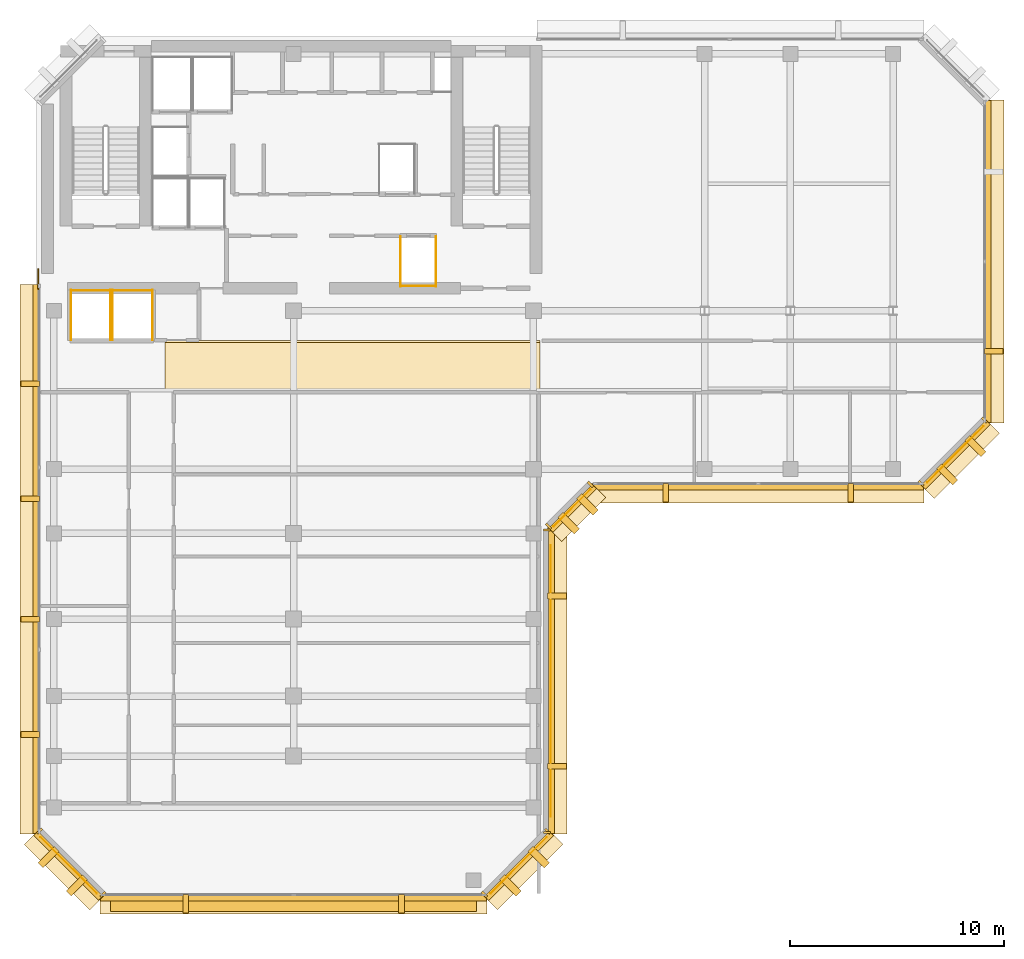
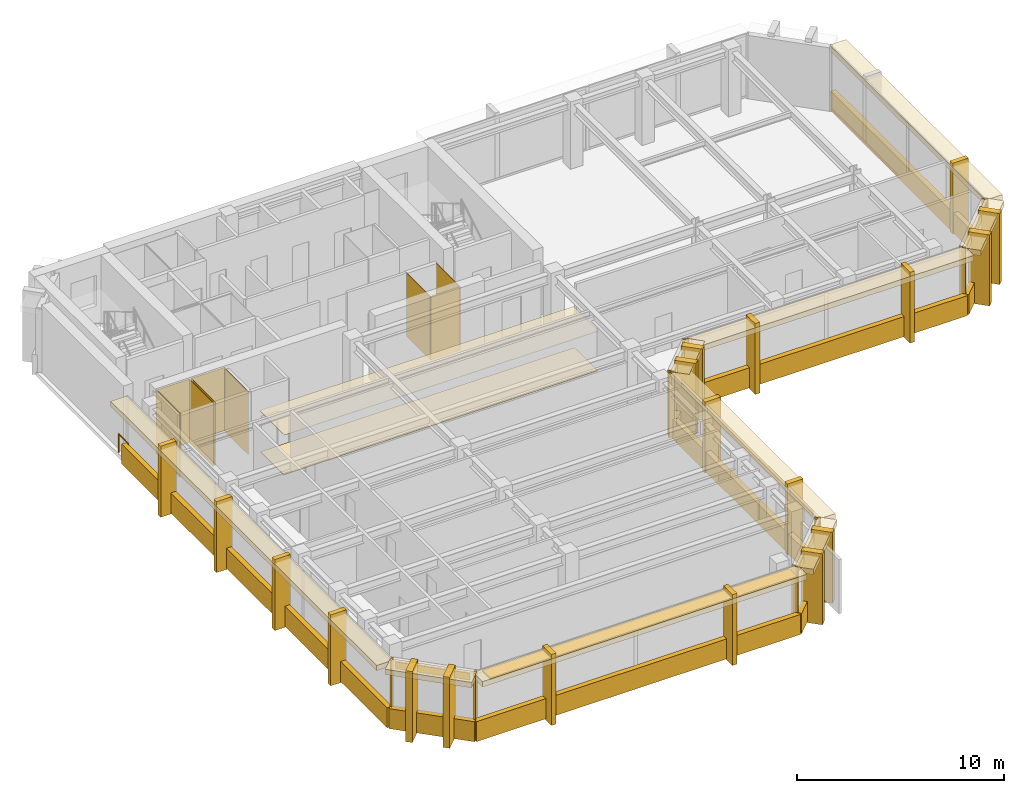
# One storey, part 9 of 11: 63 coverings, 1 railing, 1 shading device.
"""IFC4 building model written with IfcOpenShell, lengths in metres."""

from ifc_helpers import new_model, si_unit, direction, frame, origin, origin_2d, place, context, subcontext, project, spatial, polyline, rectangle, circle, outline, extrude, material, layer, layer_set, type_object, element, save


model = new_model("IFC4")

# Units and contexts
model_context = context("Model", 3, precision=1e-05, world=origin(), true_north=direction((0.0, 1.0)))
body_context = subcontext(model_context, "Body", "Model", "MODEL_VIEW")
ifc_project = project(units=[si_unit("LENGTHUNIT", "METRE"), si_unit("AREAUNIT", "SQUARE_METRE"), si_unit("VOLUMEUNIT", "CUBIC_METRE"), si_unit("PLANEANGLEUNIT", "RADIAN"), si_unit("MASSUNIT", "GRAM", prefix="KILO")], contexts=[model_context])

# Site, building, storey
site_placement = place(None, origin())
site = spatial("IfcSite", under=ifc_project, at=site_placement, CompositionType="ELEMENT")
building_placement = place(site_placement, origin())
building = spatial("IfcBuilding", under=site, at=building_placement, Name="Kefirva Bronze Tower", CompositionType="ELEMENT")
storey_placement = place(building_placement, frame((0.0, 0.0, 335.610107421875)))
storey = spatial("IfcBuildingStorey", under=building, at=storey_placement, Name="L82", CompositionType="ELEMENT", Elevation=335.610107421875)

# Coverings
ifc_material_1 = material(Name="Acoustic mineral tile")
ifc_layer_1 = layer(ifc_material_1, 0.02490234375, Name="Acoustic mineral tile")
ifc_layer_set_1 = layer_set([ifc_layer_1], Name="Acoustic mineral tile")
covering_type_1 = type_object("IfcCoveringType", Name="Acoustic Mineral Suspended Ceiling 25mm", PredefinedType="CEILING", material=ifc_layer_set_1)
covering_1_placement = place(storey_placement, frame((0.0, 0.0, 2.39990234375)))
element("IfcCovering", 1, at=covering_1_placement, inside=storey, type_object=covering_type_1, Name="L82 Corridor Acoustic Ceiling", PredefinedType="CEILING", context=body_context, shape_type="SweptSolid", body=[
    extrude(outline(polyline([(6.0, 29.39990234375), (23.5, 29.39990234375), (23.5, 31.800048828125), (6.0, 31.800048828125), (6.0, 29.39990234375)])), origin(), (0.0, 0.0, 1.0), 0.02490234375),
])
ifc_material_2 = material(Name="Bronze anodised aluminium", Category="aluminium")
ifc_layer_2 = layer(ifc_material_2, 0.02001953125, Name="Bronze anodised aluminium")
ifc_layer_set_2 = layer_set([ifc_layer_2], Name="Bronze anodised aluminium")
covering_type_2 = type_object("IfcCoveringType", Name="Anodised Bronze Spandrel Cladding 20mm", PredefinedType="CLADDING", material=ifc_layer_set_2)
covering_2_placement = place(storey_placement, frame((12.0, 5.760009765625, -0.16015625), z_axis=(0.0, 0.0, 1.0), x_axis=(1.0, 0.0, 0.0)))
element("IfcCovering", 2, at=covering_2_placement, inside=storey, type_object=covering_type_2, Name="L82 Streamline Horizontal Spandrel Band 0", PredefinedType="CLADDING", context=body_context, shape_type="SweptSolid", body=[
    extrude(rectangle(XDim=18.0400390625, YDim=0.280029296875, at=origin_2d()), origin(), (0.0, 0.0, 1.0), 1.179931640625),
])
covering_3_placement = place(storey_placement, frame((22.507080078125, 7.29296875, 3.31982421875), z_axis=(0.0, 0.0, 1.0), x_axis=(0.707106781187, 0.707106781187, 0.0)))
element("IfcCovering", 3, at=covering_3_placement, inside=storey, type_object=covering_type_2, Name="L82 Bronze Spandrel Cladding 1", PredefinedType="CLADDING", context=body_context, shape_type="SweptSolid", body=[
    extrude(rectangle(XDim=3.719482421875, YDim=0.02001953125, at=origin_2d()), origin(), (0.0, 0.0, 1.0), 0.39990234375),
])
for number, where, z_axis, x_axis, name in (
    (4, (20.91162109375, 5.93798828125, 0.0), (0.0, 0.0, 1.0), (0.707106781187, 0.707106781187, 0.0), "L82 Facade Joint Closure Panel 1S"),
    (5, (23.862060546875, 8.88818359375, 0.0), (0.0, 0.0, 1.0), (0.707106781187, 0.707106781187, 0.0), "L82 Facade Joint Closure Panel 1E"),
):
    element("IfcCovering", number, at=place(storey_placement, frame(where, z_axis=z_axis, x_axis=x_axis)), inside=storey, type_object=covering_type_2, Name=name, PredefinedType="CLADDING", context=body_context, shape_type="SweptSolid", body=[
        extrude(rectangle(XDim=0.10009765625, YDim=0.320068359375, at=origin_2d()), origin(), (0.0, 0.0, 1.0), 3.739990234375),
    ])
covering_4_placement = place(storey_placement, frame((22.5283203125, 7.271728515625, -0.16015625), z_axis=(0.0, 0.0, 1.0), x_axis=(0.707106781187, 0.707106781187, 0.0)))
element("IfcCovering", 6, at=covering_4_placement, inside=storey, type_object=covering_type_2, Name="L82 Streamline Horizontal Spandrel Band 1", PredefinedType="CLADDING", context=body_context, shape_type="SweptSolid", body=[
    extrude(rectangle(XDim=4.28271484375, YDim=0.280029296875, at=origin_2d()), origin(), (0.0, 0.0, 1.0), 1.179931640625),
])
covering_5_placement = place(storey_placement, frame((24.010009765625, 15.89990234375, 3.31982421875), z_axis=(0.0, 0.0, 1.0), x_axis=(0.0, 1.0, 0.0)))
element("IfcCovering", 7, at=covering_5_placement, inside=storey, type_object=covering_type_2, Name="L82 Bronze Spandrel Cladding 2", PredefinedType="CLADDING", context=body_context, shape_type="SweptSolid", body=[
    extrude(rectangle(XDim=12.680908203125, YDim=0.02001953125, at=origin_2d()), origin(), (0.0, 0.0, 1.0), 0.39990234375),
])
for number, where, z_axis, x_axis, name in (
    (8, (23.840087890625, 8.8349609375, 0.0), (0.0, 0.0, 1.0), (0.0, 1.0, 0.0), "L82 Facade Joint Closure Panel 2S"),
    (9, (23.840087890625, 22.965087890625, 0.0), (0.0, 0.0, 1.0), (0.0, 1.0, 0.0), "L82 Facade Joint Closure Panel 2E"),
):
    element("IfcCovering", number, at=place(storey_placement, frame(where, z_axis=z_axis, x_axis=x_axis)), inside=storey, type_object=covering_type_2, Name=name, PredefinedType="CLADDING", context=body_context, shape_type="SweptSolid", body=[
        extrude(rectangle(XDim=0.10009765625, YDim=0.320068359375, at=origin_2d()), origin(), (0.0, 0.0, 1.0), 3.739990234375),
    ])
covering_6_placement = place(storey_placement, frame((24.0400390625, 15.89990234375, -0.16015625), z_axis=(0.0, 0.0, 1.0), x_axis=(0.0, 1.0, 0.0)))
element("IfcCovering", 10, at=covering_6_placement, inside=storey, type_object=covering_type_2, Name="L82 Streamline Horizontal Spandrel Band 2", PredefinedType="CLADDING", context=body_context, shape_type="SweptSolid", body=[
    extrude(rectangle(XDim=14.239990234375, YDim=0.280029296875, at=origin_2d()), origin(), (0.0, 0.0, 1.0), 1.179931640625),
])
covering_7_placement = place(storey_placement, frame((25.007080078125, 23.992919921875, 3.31982421875), z_axis=(0.0, 0.0, 1.0), x_axis=(0.707106781187, 0.707106781187, 0.0)))
element("IfcCovering", 11, at=covering_7_placement, inside=storey, type_object=covering_type_2, Name="L82 Bronze Spandrel Cladding 3", PredefinedType="CLADDING", context=body_context, shape_type="SweptSolid", body=[
    extrude(rectangle(XDim=2.446533203125, YDim=0.02001953125, at=origin_2d()), origin(), (0.0, 0.0, 1.0), 0.39990234375),
])
for number, where, z_axis, x_axis, name in (
    (12, (23.91162109375, 23.137939453125, 0.0), (0.0, 0.0, 1.0), (0.707106781187, 0.707106781187, 0.0), "L82 Facade Joint Closure Panel 3S"),
    (13, (25.862060546875, 25.08837890625, 0.0), (0.0, 0.0, 1.0), (0.707106781187, 0.707106781187, 0.0), "L82 Facade Joint Closure Panel 3E"),
):
    element("IfcCovering", number, at=place(storey_placement, frame(where, z_axis=z_axis, x_axis=x_axis)), inside=storey, type_object=covering_type_2, Name=name, PredefinedType="CLADDING", context=body_context, shape_type="SweptSolid", body=[
        extrude(rectangle(XDim=0.10009765625, YDim=0.320068359375, at=origin_2d()), origin(), (0.0, 0.0, 1.0), 3.739990234375),
    ])
covering_8_placement = place(storey_placement, frame((25.0283203125, 23.9716796875, -0.16015625), z_axis=(0.0, 0.0, 1.0), x_axis=(0.707106781187, 0.707106781187, 0.0)))
element("IfcCovering", 14, at=covering_8_placement, inside=storey, type_object=covering_type_2, Name="L82 Streamline Horizontal Spandrel Band 3", PredefinedType="CLADDING", context=body_context, shape_type="SweptSolid", body=[
    extrude(rectangle(XDim=2.868408203125, YDim=0.280029296875, at=origin_2d()), origin(), (0.0, 0.0, 1.0), 1.179931640625),
])
covering_9_placement = place(storey_placement, frame((33.699951171875, 24.9599609375, -0.16015625), z_axis=(0.0, 0.0, 1.0), x_axis=(1.0, 0.0, 0.0)))
element("IfcCovering", 15, at=covering_9_placement, inside=storey, type_object=covering_type_2, Name="L82 Streamline Horizontal Spandrel Band 4", PredefinedType="CLADDING", context=body_context, shape_type="SweptSolid", body=[
    extrude(rectangle(XDim=15.43994140625, YDim=0.280029296875, at=origin_2d()), origin(), (0.0, 0.0, 1.0), 1.179931640625),
])
covering_10_placement = place(storey_placement, frame((42.906982421875, 26.492919921875, 3.31982421875), z_axis=(0.0, 0.0, 1.0), x_axis=(0.707106781187, 0.707106781187, 0.0)))
element("IfcCovering", 16, at=covering_10_placement, inside=storey, type_object=covering_type_2, Name="L82 Bronze Spandrel Cladding 4", PredefinedType="CLADDING", context=body_context, shape_type="SweptSolid", body=[
    extrude(rectangle(XDim=3.719482421875, YDim=0.02001953125, at=origin_2d()), origin(), (0.0, 0.0, 1.0), 0.39990234375),
])
for number, where, z_axis, x_axis, name in (
    (17, (41.311767578125, 25.137939453125, 0.0), (0.0, 0.0, 1.0), (0.707106781187, 0.707106781187, 0.0), "L82 Facade Joint Closure Panel 4S"),
    (18, (44.26220703125, 28.08837890625, 0.0), (0.0, 0.0, 1.0), (0.707106781187, 0.707106781187, 0.0), "L82 Facade Joint Closure Panel 4E"),
):
    element("IfcCovering", number, at=place(storey_placement, frame(where, z_axis=z_axis, x_axis=x_axis)), inside=storey, type_object=covering_type_2, Name=name, PredefinedType="CLADDING", context=body_context, shape_type="SweptSolid", body=[
        extrude(rectangle(XDim=0.10009765625, YDim=0.320068359375, at=origin_2d()), origin(), (0.0, 0.0, 1.0), 3.739990234375),
    ])
covering_11_placement = place(storey_placement, frame((42.92822265625, 26.4716796875, -0.16015625), z_axis=(0.0, 0.0, 1.0), x_axis=(0.707106781187, 0.707106781187, 0.0)))
element("IfcCovering", 19, at=covering_11_placement, inside=storey, type_object=covering_type_2, Name="L82 Streamline Horizontal Spandrel Band 5", PredefinedType="CLADDING", context=body_context, shape_type="SweptSolid", body=[
    extrude(rectangle(XDim=4.28271484375, YDim=0.280029296875, at=origin_2d()), origin(), (0.0, 0.0, 1.0), 1.179931640625),
])
covering_12_placement = place(storey_placement, frame((44.43994140625, 35.5, -0.16015625), z_axis=(0.0, 0.0, 1.0), x_axis=(0.0, 1.0, 0.0)))
element("IfcCovering", 20, at=covering_12_placement, inside=storey, type_object=covering_type_2, Name="L82 Streamline Horizontal Spandrel Band 6", PredefinedType="CLADDING", context=body_context, shape_type="SweptSolid", body=[
    extrude(rectangle(XDim=15.0400390625, YDim=0.280029296875, at=origin_2d()), origin(), (0.0, 0.0, 1.0), 1.179931640625),
])
covering_13_placement = place(storey_placement, frame((-0.0400390625, 21.597412109375, -0.16015625), z_axis=(0.0, 0.0, 1.0), x_axis=(0.0, -1.0, 0.0)))
element("IfcCovering", 21, at=covering_13_placement, inside=storey, type_object=covering_type_2, Name="L82 Streamline Horizontal Spandrel Band 10", PredefinedType="CLADDING", context=body_context, shape_type="SweptSolid", body=[
    extrude(rectangle(XDim=25.635009765625, YDim=0.280029296875, at=origin_2d()), origin(), (0.0, 0.0, 1.0), 1.179931640625),
])
covering_14_placement = place(storey_placement, frame((1.492919921875, 7.29296875, 3.31982421875), z_axis=(0.0, 0.0, 1.0), x_axis=(0.707106781187, -0.707106781187, 0.0)))
element("IfcCovering", 22, at=covering_14_placement, inside=storey, type_object=covering_type_2, Name="L82 Bronze Spandrel Cladding 7", PredefinedType="CLADDING", context=body_context, shape_type="SweptSolid", body=[
    extrude(rectangle(XDim=3.719482421875, YDim=0.02001953125, at=origin_2d()), origin(), (0.0, 0.0, 1.0), 0.39990234375),
])
for number, where, z_axis, x_axis, name in (
    (23, (0.137939453125, 8.88818359375, 0.0), (0.0, 0.0, 1.0), (0.707106781187, -0.707106781187, 0.0), "L82 Facade Joint Closure Panel 7S"),
    (24, (3.08837890625, 5.93798828125, 0.0), (0.0, 0.0, 1.0), (0.707106781187, -0.707106781187, 0.0), "L82 Facade Joint Closure Panel 7E"),
):
    element("IfcCovering", number, at=place(storey_placement, frame(where, z_axis=z_axis, x_axis=x_axis)), inside=storey, type_object=covering_type_2, Name=name, PredefinedType="CLADDING", context=body_context, shape_type="SweptSolid", body=[
        extrude(rectangle(XDim=0.10009765625, YDim=0.320068359375, at=origin_2d()), origin(), (0.0, 0.0, 1.0), 3.739990234375),
    ])
covering_15_placement = place(storey_placement, frame((1.4716796875, 7.271728515625, -0.16015625), z_axis=(0.0, 0.0, 1.0), x_axis=(0.707106781187, -0.707106781187, 0.0)))
element("IfcCovering", 25, at=covering_15_placement, inside=storey, type_object=covering_type_2, Name="L82 Streamline Horizontal Spandrel Band 11", PredefinedType="CLADDING", context=body_context, shape_type="SweptSolid", body=[
    extrude(rectangle(XDim=4.28271484375, YDim=0.280029296875, at=origin_2d()), origin(), (0.0, 0.0, 1.0), 1.179931640625),
])
covering_16_placement = place(storey_placement, origin())
element("IfcCovering", 26, at=covering_16_placement, inside=storey, type_object=covering_type_2, Name="L82 Lift OB1 Hoistway Liner N", PredefinedType="CLADDING", context=body_context, shape_type="SweptSolid", body=[
    extrude(outline(polyline([(1.580078125, 34.139892578125), (3.469970703125, 34.139892578125), (3.469970703125, 34.159912109375), (1.580078125, 34.159912109375), (1.580078125, 34.139892578125)])), origin(), (0.0, 0.0, 1.0), 3.739990234375),
])
covering_17_placement = place(storey_placement, origin())
element("IfcCovering", 27, at=covering_17_placement, inside=storey, type_object=covering_type_2, Name="L82 Lift OB1 Hoistway Liner W", PredefinedType="CLADDING", context=body_context, shape_type="SweptSolid", body=[
    extrude(outline(polyline([(1.590087890625, 31.830078125), (1.610107421875, 31.830078125), (1.610107421875, 34.169921875), (1.590087890625, 34.169921875), (1.590087890625, 31.830078125)])), origin(), (0.0, 0.0, 1.0), 3.739990234375),
])
covering_18_placement = place(storey_placement, origin())
element("IfcCovering", 28, at=covering_18_placement, inside=storey, type_object=covering_type_2, Name="L82 Lift OB1 Hoistway Liner E", PredefinedType="CLADDING", context=body_context, shape_type="SweptSolid", body=[
    extrude(outline(polyline([(3.43994140625, 31.830078125), (3.4599609375, 31.830078125), (3.4599609375, 34.169921875), (3.43994140625, 34.169921875), (3.43994140625, 31.830078125)])), origin(), (0.0, 0.0, 1.0), 3.739990234375),
])
covering_19_placement = place(storey_placement, origin())
element("IfcCovering", 29, at=covering_19_placement, inside=storey, type_object=covering_type_2, Name="L82 Lift OB2 Hoistway Liner N", PredefinedType="CLADDING", context=body_context, shape_type="SweptSolid", body=[
    extrude(outline(polyline([(3.530029296875, 34.139892578125), (5.419921875, 34.139892578125), (5.419921875, 34.159912109375), (3.530029296875, 34.159912109375), (3.530029296875, 34.139892578125)])), origin(), (0.0, 0.0, 1.0), 3.739990234375),
])
covering_20_placement = place(storey_placement, origin())
element("IfcCovering", 30, at=covering_20_placement, inside=storey, type_object=covering_type_2, Name="L82 Lift OB2 Hoistway Liner W", PredefinedType="CLADDING", context=body_context, shape_type="SweptSolid", body=[
    extrude(outline(polyline([(3.5400390625, 31.830078125), (3.56005859375, 31.830078125), (3.56005859375, 34.169921875), (3.5400390625, 34.169921875), (3.5400390625, 31.830078125)])), origin(), (0.0, 0.0, 1.0), 3.739990234375),
])
covering_21_placement = place(storey_placement, origin())
element("IfcCovering", 31, at=covering_21_placement, inside=storey, type_object=covering_type_2, Name="L82 Lift OB2 Hoistway Liner E", PredefinedType="CLADDING", context=body_context, shape_type="SweptSolid", body=[
    extrude(outline(polyline([(5.389892578125, 31.830078125), (5.409912109375, 31.830078125), (5.409912109375, 34.169921875), (5.389892578125, 34.169921875), (5.389892578125, 31.830078125)])), origin(), (0.0, 0.0, 1.0), 3.739990234375),
])
covering_22_placement = place(storey_placement, origin())
element("IfcCovering", 32, at=covering_22_placement, inside=storey, type_object=covering_type_2, Name="L82 Lift HP1 Hoistway Liner S", PredefinedType="CLADDING", context=body_context, shape_type="SweptSolid", body=[
    extrude(outline(polyline([(16.97998046875, 34.340087890625), (18.669921875, 34.340087890625), (18.669921875, 34.360107421875), (16.97998046875, 34.360107421875), (16.97998046875, 34.340087890625)])), origin(), (0.0, 0.0, 1.0), 3.739990234375),
])
covering_23_placement = place(storey_placement, origin())
element("IfcCovering", 33, at=covering_23_placement, inside=storey, type_object=covering_type_2, Name="L82 Lift HP1 Hoistway Liner W", PredefinedType="CLADDING", context=body_context, shape_type="SweptSolid", body=[
    extrude(outline(polyline([(16.989990234375, 34.330078125), (17.010009765625, 34.330078125), (17.010009765625, 36.669921875), (16.989990234375, 36.669921875), (16.989990234375, 34.330078125)])), origin(), (0.0, 0.0, 1.0), 3.739990234375),
])
covering_24_placement = place(storey_placement, origin())
element("IfcCovering", 34, at=covering_24_placement, inside=storey, type_object=covering_type_2, Name="L82 Lift HP1 Hoistway Liner E", PredefinedType="CLADDING", context=body_context, shape_type="SweptSolid", body=[
    extrude(outline(polyline([(18.639892578125, 34.330078125), (18.659912109375, 34.330078125), (18.659912109375, 36.669921875), (18.639892578125, 36.669921875), (18.639892578125, 34.330078125)])), origin(), (0.0, 0.0, 1.0), 3.739990234375),
])

# Shading device
ifc_layer_3 = layer(ifc_material_2, 0.090087890625, Name="Bronze anodised aluminium")
ifc_layer_set_3 = layer_set([ifc_layer_3], Name="Bronze anodised aluminium")
shading_device_type = type_object("IfcShadingDeviceType", Name="Horizontal Bronze Sunshade Band 750mm", PredefinedType="JALOUSIE", material=ifc_layer_set_3)
shading_device_placement = place(storey_placement, frame((12.0, 5.5048828125, 3.634765625), z_axis=(0.0, 0.0, 1.0), x_axis=(1.0, 0.0, 0.0)))
element("IfcShadingDevice", 35, at=shading_device_placement, inside=storey, type_object=shading_device_type, Name="L82 Horizontal Bronze Sunshade Band 0", PredefinedType="JALOUSIE", context=body_context, shape_type="SweptSolid", body=[
    extrude(rectangle(XDim=17.090087890625, YDim=0.75, at=origin_2d()), origin(), (0.0, 0.0, 1.0), 0.090087890625),
])

# Railing
ifc_material_3 = material(Name="Stainless steel 316", Category="steel")
railing_type = type_object("IfcRailingType", Name="Interior Stair Guardrail 1100mm", PredefinedType="GUARDRAIL", material=ifc_material_3)
railing_placement = place(storey_placement, frame((0.080078125, 34.199951171875, 0.0)))
element("IfcRailing", 36, at=railing_placement, inside=storey, type_object=railing_type, Name="L82 West Core Junction Guardrail", PredefinedType="GUARDRAIL", context=body_context, shape_type="SweptSolid", body=[
    extrude(circle(Radius=0.02392578125, at=origin_2d()), frame((0.0, 0.0, 1.076171875), z_axis=(0.0, 1.0, 0.0), x_axis=(-1.0, 0.0, 0.0)), (0.0, 0.0, 1.0), 0.949951171875),
    extrude(circle(Radius=0.02099609375, at=origin_2d()), origin(), (0.0, 0.0, 1.0), 1.052001953125),
    extrude(circle(Radius=0.02099609375, at=origin_2d()), frame((0.0, 0.949951171875, 0.0)), (0.0, 0.0, 1.0), 1.052001953125),
])

# Coverings
ifc_material_4 = material(Name="Calcium sulphate access tile")
ifc_layer_4 = layer(ifc_material_4, 0.044921875, Name="Calcium sulphate access tile")
ifc_layer_set_4 = layer_set([ifc_layer_4], Name="Calcium sulphate access tile")
covering_type_3 = type_object("IfcCoveringType", Name="Raised Access Office Flooring 45mm", PredefinedType="FLOORING", material=ifc_layer_set_4)
covering_25_placement = place(storey_placement, origin())
element("IfcCovering", 37, at=covering_25_placement, inside=storey, type_object=covering_type_3, Name="L82 Architectural Finish Flooring", PredefinedType="FLOORING", context=body_context, shape_type="SweptSolid", body=[
    extrude(outline(polyline([(6.0, 29.47998046875), (23.5, 29.47998046875), (23.5, 31.719970703125), (6.0, 31.719970703125), (6.0, 29.47998046875)])), origin(), (0.0, 0.0, 1.0), 0.044921875),
])
ifc_layer_5 = layer(ifc_material_2, 0.179931640625, Name="Bronze anodised aluminium")
ifc_layer_set_5 = layer_set([ifc_layer_5], Name="Bronze anodised aluminium")
covering_type_4 = type_object("IfcCoveringType", Name="Streamline Bronze Sunshade Eyebrow Cladding 180mm", PredefinedType="CLADDING", material=ifc_layer_set_5)
covering_26_placement = place(storey_placement, frame((12.0, 5.489990234375, 3.419921875), z_axis=(0.0, 0.0, 1.0), x_axis=(1.0, 0.0, 0.0)))
element("IfcCovering", 38, at=covering_26_placement, inside=storey, type_object=covering_type_4, Name="L82 Streamline Bronze Sunshade Eyebrow 0", PredefinedType="CLADDING", context=body_context, shape_type="SweptSolid", body=[
    extrude(rectangle(XDim=18.080078125, YDim=0.93994140625, at=origin_2d()), origin(), (0.0, 0.0, 1.0), 0.320068359375),
])
covering_27_placement = place(storey_placement, frame((22.71923828125, 7.080810546875, 3.419921875), z_axis=(0.0, 0.0, 1.0), x_axis=(0.707106781187, 0.707106781187, 0.0)))
element("IfcCovering", 39, at=covering_27_placement, inside=storey, type_object=covering_type_4, Name="L82 Streamline Bronze Sunshade Eyebrow 1", PredefinedType="CLADDING", context=body_context, shape_type="SweptSolid", body=[
    extrude(rectangle(XDim=4.322509765625, YDim=0.93994140625, at=origin_2d()), origin(), (0.0, 0.0, 1.0), 0.320068359375),
])
covering_28_placement = place(storey_placement, frame((24.31005859375, 15.89990234375, 3.419921875), z_axis=(0.0, 0.0, 1.0), x_axis=(0.0, 1.0, 0.0)))
element("IfcCovering", 40, at=covering_28_placement, inside=storey, type_object=covering_type_4, Name="L82 Streamline Bronze Sunshade Eyebrow 2", PredefinedType="CLADDING", context=body_context, shape_type="SweptSolid", body=[
    extrude(rectangle(XDim=14.280029296875, YDim=0.93994140625, at=origin_2d()), origin(), (0.0, 0.0, 1.0), 0.320068359375),
])
covering_29_placement = place(storey_placement, frame((25.21923828125, 23.78076171875, 3.419921875), z_axis=(0.0, 0.0, 1.0), x_axis=(0.707106781187, 0.707106781187, 0.0)))
element("IfcCovering", 41, at=covering_29_placement, inside=storey, type_object=covering_type_4, Name="L82 Streamline Bronze Sunshade Eyebrow 3", PredefinedType="CLADDING", context=body_context, shape_type="SweptSolid", body=[
    extrude(rectangle(XDim=2.908447265625, YDim=0.93994140625, at=origin_2d()), origin(), (0.0, 0.0, 1.0), 0.320068359375),
])
covering_30_placement = place(storey_placement, frame((33.699951171875, 24.68994140625, 3.419921875), z_axis=(0.0, 0.0, 1.0), x_axis=(1.0, 0.0, 0.0)))
element("IfcCovering", 42, at=covering_30_placement, inside=storey, type_object=covering_type_4, Name="L82 Streamline Bronze Sunshade Eyebrow 4", PredefinedType="CLADDING", context=body_context, shape_type="SweptSolid", body=[
    extrude(rectangle(XDim=15.47998046875, YDim=0.93994140625, at=origin_2d()), origin(), (0.0, 0.0, 1.0), 0.320068359375),
])
covering_31_placement = place(storey_placement, frame((43.119140625, 26.28076171875, 3.419921875), z_axis=(0.0, 0.0, 1.0), x_axis=(0.707106781187, 0.707106781187, 0.0)))
element("IfcCovering", 43, at=covering_31_placement, inside=storey, type_object=covering_type_4, Name="L82 Streamline Bronze Sunshade Eyebrow 5", PredefinedType="CLADDING", context=body_context, shape_type="SweptSolid", body=[
    extrude(rectangle(XDim=4.322509765625, YDim=0.93994140625, at=origin_2d()), origin(), (0.0, 0.0, 1.0), 0.320068359375),
])
covering_32_placement = place(storey_placement, frame((44.7099609375, 35.5, 3.419921875), z_axis=(0.0, 0.0, 1.0), x_axis=(0.0, 1.0, 0.0)))
element("IfcCovering", 44, at=covering_32_placement, inside=storey, type_object=covering_type_4, Name="L82 Streamline Bronze Sunshade Eyebrow 6", PredefinedType="CLADDING", context=body_context, shape_type="SweptSolid", body=[
    extrude(rectangle(XDim=15.080078125, YDim=0.93994140625, at=origin_2d()), origin(), (0.0, 0.0, 1.0), 0.320068359375),
])
covering_33_placement = place(storey_placement, frame((-0.31005859375, 21.597412109375, 3.419921875), z_axis=(0.0, 0.0, 1.0), x_axis=(0.0, -1.0, 0.0)))
element("IfcCovering", 45, at=covering_33_placement, inside=storey, type_object=covering_type_4, Name="L82 Streamline Bronze Sunshade Eyebrow 10", PredefinedType="CLADDING", context=body_context, shape_type="SweptSolid", body=[
    extrude(rectangle(XDim=25.675048828125, YDim=0.93994140625, at=origin_2d()), origin(), (0.0, 0.0, 1.0), 0.320068359375),
])
covering_34_placement = place(storey_placement, frame((1.28076171875, 7.080810546875, 3.419921875), z_axis=(0.0, 0.0, 1.0), x_axis=(0.707106781187, -0.707106781187, 0.0)))
element("IfcCovering", 46, at=covering_34_placement, inside=storey, type_object=covering_type_4, Name="L82 Streamline Bronze Sunshade Eyebrow 11", PredefinedType="CLADDING", context=body_context, shape_type="SweptSolid", body=[
    extrude(rectangle(XDim=4.322509765625, YDim=0.93994140625, at=origin_2d()), origin(), (0.0, 0.0, 1.0), 0.320068359375),
])
ifc_layer_6 = layer(ifc_material_2, 0.260009765625, Name="Bronze anodised aluminium")
ifc_layer_set_6 = layer_set([ifc_layer_6], Name="Bronze anodised aluminium")
covering_type_5 = type_object("IfcCoveringType", Name="Unbroken Bronze Buttress Fin Cladding 260mm", PredefinedType="CLADDING", material=ifc_layer_set_6)
for number, where, z_axis, x_axis, name in (
    (47, (6.9599609375, 5.5, -0.22021484375), (0.0, 0.0, 1.0), (1.0, 0.0, 0.0), "L82 Unbroken Vertical Bronze Rib Fin 1"),
    (48, (17.0400390625, 5.5, -0.22021484375), (0.0, 0.0, 1.0), (1.0, 0.0, 0.0), "L82 Unbroken Vertical Bronze Rib Fin 2"),
):
    element("IfcCovering", number, at=place(storey_placement, frame(where, z_axis=z_axis, x_axis=x_axis)), inside=storey, type_object=covering_type_5, Name=name, PredefinedType="CLADDING", context=body_context, shape_type="SweptSolid", body=[
        extrude(rectangle(XDim=0.260009765625, YDim=0.8798828125, at=origin_2d()), origin(), (0.0, 0.0, 1.0), 4.179931640625),
    ])
for number, where, z_axis, x_axis, name in (
    (49, (22.122802734375, 6.357177734375, -0.22021484375), (0.0, 0.0, 1.0), (0.707106781187, 0.707106781187, 0.0), "L82 Chamfered Corner Buttress Fin Cladding 3"),
    (50, (23.44287109375, 7.67724609375, -0.22021484375), (0.0, 0.0, 1.0), (0.707106781187, 0.707106781187, 0.0), "L82 Chamfered Corner Buttress Fin Cladding 4"),
):
    element("IfcCovering", number, at=place(storey_placement, frame(where, z_axis=z_axis, x_axis=x_axis)), inside=storey, type_object=covering_type_5, Name=name, PredefinedType="CLADDING", context=body_context, shape_type="SweptSolid", body=[
        extrude(rectangle(XDim=0.340087890625, YDim=1.080078125, at=origin_2d()), origin(), (0.0, 0.0, 1.0), 4.179931640625),
    ])
for number, where, z_axis, x_axis, name in (
    (51, (24.300048828125, 11.924072265625, -0.22021484375), (0.0, 0.0, 1.0), (0.0, 1.0, 0.0), "L82 Unbroken Vertical Bronze Rib Fin 5"),
    (52, (24.300048828125, 19.8759765625, -0.22021484375), (0.0, 0.0, 1.0), (0.0, 1.0, 0.0), "L82 Unbroken Vertical Bronze Rib Fin 6"),
):
    element("IfcCovering", number, at=place(storey_placement, frame(where, z_axis=z_axis, x_axis=x_axis)), inside=storey, type_object=covering_type_5, Name=name, PredefinedType="CLADDING", context=body_context, shape_type="SweptSolid", body=[
        extrude(rectangle(XDim=0.260009765625, YDim=0.8798828125, at=origin_2d()), origin(), (0.0, 0.0, 1.0), 4.179931640625),
    ])
for number, where, z_axis, x_axis, name in (
    (53, (24.8427734375, 23.277099609375, -0.22021484375), (0.0, 0.0, 1.0), (0.707106781187, 0.707106781187, 0.0), "L82 Chamfered Corner Buttress Fin Cladding 7"),
    (54, (25.722900390625, 24.1572265625, -0.22021484375), (0.0, 0.0, 1.0), (0.707106781187, 0.707106781187, 0.0), "L82 Chamfered Corner Buttress Fin Cladding 8"),
):
    element("IfcCovering", number, at=place(storey_placement, frame(where, z_axis=z_axis, x_axis=x_axis)), inside=storey, type_object=covering_type_5, Name=name, PredefinedType="CLADDING", context=body_context, shape_type="SweptSolid", body=[
        extrude(rectangle(XDim=0.340087890625, YDim=1.080078125, at=origin_2d()), origin(), (0.0, 0.0, 1.0), 4.179931640625),
    ])
for number, where, z_axis, x_axis, name in (
    (55, (29.387939453125, 24.699951171875, -0.22021484375), (0.0, 0.0, 1.0), (1.0, 0.0, 0.0), "L82 Unbroken Vertical Bronze Rib Fin 9"),
    (56, (38.011962890625, 24.699951171875, -0.22021484375), (0.0, 0.0, 1.0), (1.0, 0.0, 0.0), "L82 Unbroken Vertical Bronze Rib Fin 10"),
):
    element("IfcCovering", number, at=place(storey_placement, frame(where, z_axis=z_axis, x_axis=x_axis)), inside=storey, type_object=covering_type_5, Name=name, PredefinedType="CLADDING", context=body_context, shape_type="SweptSolid", body=[
        extrude(rectangle(XDim=0.260009765625, YDim=0.8798828125, at=origin_2d()), origin(), (0.0, 0.0, 1.0), 4.179931640625),
    ])
for number, where, z_axis, x_axis, name in (
    (57, (42.522705078125, 25.55712890625, -0.22021484375), (0.0, 0.0, 1.0), (0.707106781187, 0.707106781187, 0.0), "L82 Chamfered Corner Buttress Fin Cladding 11"),
    (58, (43.8427734375, 26.877197265625, -0.22021484375), (0.0, 0.0, 1.0), (0.707106781187, 0.707106781187, 0.0), "L82 Chamfered Corner Buttress Fin Cladding 12"),
):
    element("IfcCovering", number, at=place(storey_placement, frame(where, z_axis=z_axis, x_axis=x_axis)), inside=storey, type_object=covering_type_5, Name=name, PredefinedType="CLADDING", context=body_context, shape_type="SweptSolid", body=[
        extrude(rectangle(XDim=0.340087890625, YDim=1.080078125, at=origin_2d()), origin(), (0.0, 0.0, 1.0), 4.179931640625),
    ])
for number, where, z_axis, x_axis, name in (
    (59, (44.699951171875, 31.300048828125, -0.22021484375), (0.0, 0.0, 1.0), (0.0, 1.0, 0.0), "L82 Unbroken Vertical Bronze Rib Fin 13"),
    (60, (-0.300048828125, 29.787841796875, -0.22021484375), (0.0, 0.0, 1.0), (0.0, -1.0, 0.0), "L82 Unbroken Vertical Bronze Rib Fin 21"),
    (61, (-0.300048828125, 24.4130859375, -0.22021484375), (0.0, 0.0, 1.0), (0.0, -1.0, 0.0), "L82 Unbroken Vertical Bronze Rib Fin 22"),
    (62, (-0.300048828125, 18.781982421875, -0.22021484375), (0.0, 0.0, 1.0), (0.0, -1.0, 0.0), "L82 Unbroken Vertical Bronze Rib Fin 23"),
    (63, (-0.300048828125, 13.406982421875, -0.22021484375), (0.0, 0.0, 1.0), (0.0, -1.0, 0.0), "L82 Unbroken Vertical Bronze Rib Fin 24"),
):
    element("IfcCovering", number, at=place(storey_placement, frame(where, z_axis=z_axis, x_axis=x_axis)), inside=storey, type_object=covering_type_5, Name=name, PredefinedType="CLADDING", context=body_context, shape_type="SweptSolid", body=[
        extrude(rectangle(XDim=0.260009765625, YDim=0.8798828125, at=origin_2d()), origin(), (0.0, 0.0, 1.0), 4.179931640625),
    ])
for number, where, z_axis, x_axis, name in (
    (64, (0.55712890625, 7.67724609375, -0.22021484375), (0.0, 0.0, 1.0), (0.707106781187, -0.707106781187, 0.0), "L82 Chamfered Corner Buttress Fin Cladding 25"),
    (65, (1.877197265625, 6.357177734375, -0.22021484375), (0.0, 0.0, 1.0), (0.707106781187, -0.707106781187, 0.0), "L82 Chamfered Corner Buttress Fin Cladding 26"),
):
    element("IfcCovering", number, at=place(storey_placement, frame(where, z_axis=z_axis, x_axis=x_axis)), inside=storey, type_object=covering_type_5, Name=name, PredefinedType="CLADDING", context=body_context, shape_type="SweptSolid", body=[
        extrude(rectangle(XDim=0.340087890625, YDim=1.080078125, at=origin_2d()), origin(), (0.0, 0.0, 1.0), 4.179931640625),
    ])

save(model, "model.ifc")
